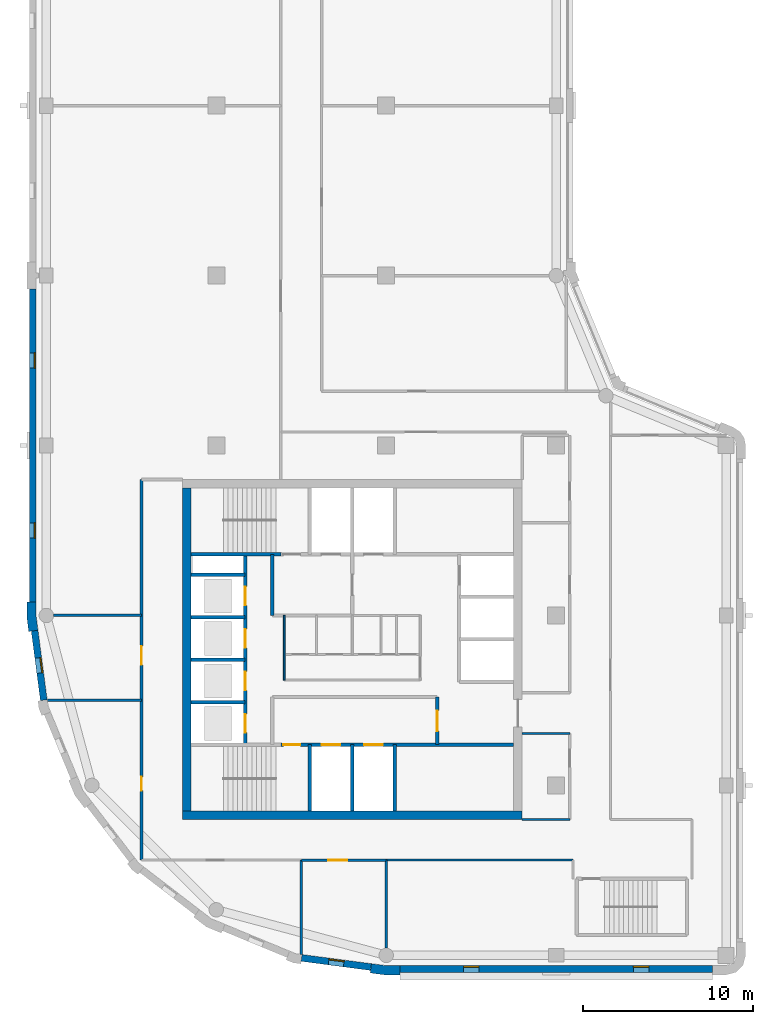
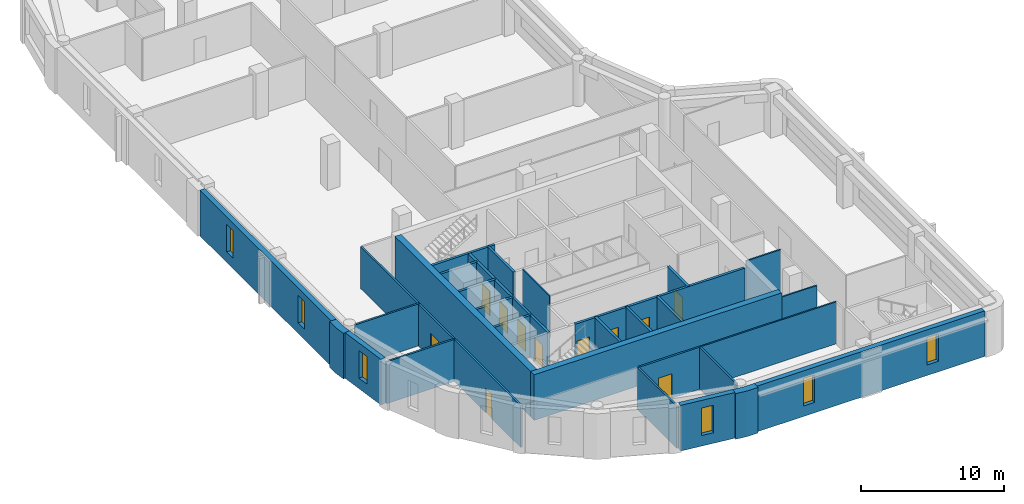
# One storey, part 2 of 8: 30 walls, 11 doors, 6 windows, 17 openings.
"""IFC4 building model written with IfcOpenShell, lengths in metres."""

from ifc_helpers import new_model, si_unit, direction, frame, frame_2d, origin, place, context, subcontext, project, spatial, polyline, rectangle, outline, extrude, material, layer, layer_set, type_object, element, fill, save


model = new_model("IFC4")

# Units and contexts
model_context = context("Model", 3, precision=1e-05, world=origin(), true_north=direction((0.0, 1.0)))
body_context = subcontext(model_context, "Body", "Model", "MODEL_VIEW")
ifc_project = project(units=[si_unit("LENGTHUNIT", "METRE"), si_unit("AREAUNIT", "SQUARE_METRE"), si_unit("VOLUMEUNIT", "CUBIC_METRE"), si_unit("PLANEANGLEUNIT", "RADIAN"), si_unit("MASSUNIT", "GRAM", prefix="KILO")], contexts=[model_context])

# Site, building, storey
site_placement = place(None, origin())
site = spatial("IfcSite", under=ifc_project, at=site_placement, CompositionType="ELEMENT")
building_placement = place(site_placement, origin())
building = spatial("IfcBuilding", under=site, at=building_placement, Name="Qaws Garden Tower", CompositionType="ELEMENT")
storey_placement = place(building_placement, frame((0.0, 0.0, 302.10009765625)))
storey = spatial("IfcBuildingStorey", under=building, at=storey_placement, Name="L73", CompositionType="ELEMENT", Elevation=302.10009765625)

# Wall, openings, windows
ifc_material_1 = material(Name="Clay facing brick masonry", Category="masonry")
ifc_layer_1 = layer(ifc_material_1, 0.39990234375)
ifc_layer_set_1 = layer_set([ifc_layer_1], Name="Clay facing brick masonry")
wall_type_1 = type_object("IfcWallType", Name="Brick infill wall 400", PredefinedType="SOLIDWALL", material=ifc_layer_set_1)
wall_1_placement = place(storey_placement, frame((20.800048828125, -0.800048828125, 0.0), z_axis=(0.0, 0.0, 1.0), x_axis=(1.0, 0.0, 0.0)))
wall_1 = element("IfcWall", 1, at=wall_1_placement, inside=storey, type_object=wall_type_1, Name="E-L73-infill-00", PredefinedType="SOLIDWALL", context=body_context, shape_type="SweptSolid", body=[
    extrude(rectangle(XDim=18.39990234375, YDim=0.39990234375, at=frame_2d((9.199951171875, 0.0))), origin(), (0.0, 0.0, 1.0), 3.89990234375),
])
opening_1_placement = place(wall_1_placement, frame((3.75, 0.0, 0.89990234375)))
opening_1 = element("IfcOpeningElement", 2, at=opening_1_placement, cuts=wall_1, Name="Opening W09", PredefinedType="OPENING", context=body_context, shape_type="SweptSolid", body=[
    extrude(rectangle(XDim=0.89990234375, YDim=2.35009765625, at=frame_2d((0.449951171875, 1.175048828125))), frame((0.0, 0.2099609375, 0.0), z_axis=(0.0, -1.0, 0.0), x_axis=(1.0, 0.0, 0.0)), (0.0, 0.0, 1.0), 0.419921875),
])
opening_2_placement = place(wall_1_placement, frame((13.75, 0.0, 0.89990234375)))
opening_2 = element("IfcOpeningElement", 3, at=opening_2_placement, cuts=wall_1, Name="Opening W09", PredefinedType="OPENING", context=body_context, shape_type="SweptSolid", body=[
    extrude(rectangle(XDim=0.89990234375, YDim=2.35009765625, at=frame_2d((0.449951171875, 1.175048828125))), frame((0.0, 0.2099609375, 0.0), z_axis=(0.0, -1.0, 0.0), x_axis=(1.0, 0.0, 0.0)), (0.0, 0.0, 1.0), 0.419921875),
])
ifc_material_2 = material(Name="Aluminium framed window, clear glazing", Category="aluminium")
window_type = type_object("IfcWindowType", Name="Slit window 900 x 2350", PartitioningType="SINGLE_PANEL", PredefinedType="WINDOW", material=ifc_material_2)
window_1_placement = place(opening_1_placement, origin())
window_1 = element("IfcWindow", 4, at=window_1_placement, inside=storey, type_object=window_type, Name="E-L73-window-00-0", OverallHeight=2.35009765625, OverallWidth=0.89990234375, PartitioningType="SINGLE_PANEL", PredefinedType="WINDOW", context=body_context, shape_type="SweptSolid", body=[
    extrude(rectangle(XDim=0.89990234375, YDim=2.35009765625, at=frame_2d((0.449951171875, 1.175048828125))), frame((0.0, 0.159912109375, 0.0), z_axis=(0.0, -1.0, 0.0), x_axis=(1.0, 0.0, 0.0)), (0.0, 0.0, 1.0), 0.06005859375),
])
fill(opening_1, window_1)
window_2_placement = place(opening_2_placement, origin())
window_2 = element("IfcWindow", 5, at=window_2_placement, inside=storey, type_object=window_type, Name="E-L73-window-01-0", OverallHeight=2.35009765625, OverallWidth=0.89990234375, PartitioningType="SINGLE_PANEL", PredefinedType="WINDOW", context=body_context, shape_type="SweptSolid", body=[
    extrude(rectangle(XDim=0.89990234375, YDim=2.35009765625, at=frame_2d((0.449951171875, 1.175048828125))), frame((0.0, 0.159912109375, 0.0), z_axis=(0.0, -1.0, 0.0), x_axis=(1.0, 0.0, 0.0)), (0.0, 0.0, 1.0), 0.06005859375),
])
fill(opening_2, window_2)

wall_2_placement = place(storey_placement, frame((-0.800048828125, 39.199951171875, 0.0), z_axis=(0.0, 0.0, 1.0), x_axis=(0.0, -1.0, 0.0)))
wall_2 = element("IfcWall", 6, at=wall_2_placement, inside=storey, type_object=wall_type_1, Name="E-L73-infill-19", PredefinedType="SOLIDWALL", context=body_context, shape_type="SweptSolid", body=[
    extrude(rectangle(XDim=18.39990234375, YDim=0.39990234375, at=frame_2d((9.199951171875, 0.0))), origin(), (0.0, 0.0, 1.0), 3.89990234375),
])
opening_3_placement = place(wall_2_placement, frame((3.75, 0.0, 0.89990234375)))
opening_3 = element("IfcOpeningElement", 7, at=opening_3_placement, cuts=wall_2, Name="Opening W09", PredefinedType="OPENING", context=body_context, shape_type="SweptSolid", body=[
    extrude(rectangle(XDim=0.89990234375, YDim=2.35009765625, at=frame_2d((0.449951171875, 1.175048828125))), frame((0.0, 0.2099609375, 0.0), z_axis=(0.0, -1.0, 0.0), x_axis=(1.0, 0.0, 0.0)), (0.0, 0.0, 1.0), 0.419921875),
])
opening_4_placement = place(wall_2_placement, frame((13.75, 0.0, 0.89990234375)))
opening_4 = element("IfcOpeningElement", 8, at=opening_4_placement, cuts=wall_2, Name="Opening W09", PredefinedType="OPENING", context=body_context, shape_type="SweptSolid", body=[
    extrude(rectangle(XDim=0.89990234375, YDim=2.35009765625, at=frame_2d((0.449951171875, 1.175048828125))), frame((0.0, 0.2099609375, 0.0), z_axis=(0.0, -1.0, 0.0), x_axis=(1.0, 0.0, 0.0)), (0.0, 0.0, 1.0), 0.419921875),
])
window_3_placement = place(opening_3_placement, origin())
window_3 = element("IfcWindow", 9, at=window_3_placement, inside=storey, type_object=window_type, Name="E-L73-window-19-0", OverallHeight=2.35009765625, OverallWidth=0.89990234375, PartitioningType="SINGLE_PANEL", PredefinedType="WINDOW", context=body_context, shape_type="SweptSolid", body=[
    extrude(rectangle(XDim=0.89990234375, YDim=2.35009765625, at=frame_2d((0.449951171875, 1.175048828125))), frame((0.0, 0.159912109375, 0.0), z_axis=(0.0, -1.0, 0.0), x_axis=(1.0, 0.0, 0.0)), (0.0, 0.0, 1.0), 0.06005859375),
])
fill(opening_3, window_3)
window_4_placement = place(opening_4_placement, origin())
window_4 = element("IfcWindow", 10, at=window_4_placement, inside=storey, type_object=window_type, Name="E-L73-window-20-0", OverallHeight=2.35009765625, OverallWidth=0.89990234375, PartitioningType="SINGLE_PANEL", PredefinedType="WINDOW", context=body_context, shape_type="SweptSolid", body=[
    extrude(rectangle(XDim=0.89990234375, YDim=2.35009765625, at=frame_2d((0.449951171875, 1.175048828125))), frame((0.0, 0.159912109375, 0.0), z_axis=(0.0, -1.0, 0.0), x_axis=(1.0, 0.0, 0.0)), (0.0, 0.0, 1.0), 0.06005859375),
])
fill(opening_4, window_4)

# Wall, opening, window
wall_3_placement = place(storey_placement, frame((-0.688720703125, 19.102294921875, 0.0), z_axis=(0.0, 0.0, 1.0), x_axis=(0.130514280502, -0.991446429508, 0.0)))
wall_3 = element("IfcWall", 11, at=wall_3_placement, inside=storey, type_object=wall_type_1, Name="E-L73-infill-21", PredefinedType="SOLIDWALL", context=body_context, shape_type="SweptSolid", body=[
    extrude(rectangle(XDim=4.120849609375, YDim=0.39990234375, at=frame_2d((2.060546875, 0.0))), origin(), (0.0, 0.0, 1.0), 3.89990234375),
])
opening_5_placement = place(wall_3_placement, frame((1.610595703125, 0.0, 0.89990234375)))
opening_5 = element("IfcOpeningElement", 12, at=opening_5_placement, cuts=wall_3, Name="Opening W09", PredefinedType="OPENING", context=body_context, shape_type="SweptSolid", body=[
    extrude(rectangle(XDim=0.89990234375, YDim=2.35009765625, at=frame_2d((0.449951171875, 1.175048828125))), frame((0.0, 0.2099609375, 0.0), z_axis=(0.0, -1.0, 0.0), x_axis=(1.0, 0.0, 0.0)), (0.0, 0.0, 1.0), 0.419921875),
])
window_5_placement = place(opening_5_placement, origin())
window_5 = element("IfcWindow", 13, at=window_5_placement, inside=storey, type_object=window_type, Name="E-L73-window-21-0", OverallHeight=2.35009765625, OverallWidth=0.89990234375, PartitioningType="SINGLE_PANEL", PredefinedType="WINDOW", context=body_context, shape_type="SweptSolid", body=[
    extrude(rectangle(XDim=0.89990234375, YDim=2.35009765625, at=frame_2d((0.449951171875, 1.175048828125))), frame((0.0, 0.159912109375, 0.0), z_axis=(0.0, -1.0, 0.0), x_axis=(1.0, 0.0, 0.0)), (0.0, 0.0, 1.0), 0.06005859375),
])
fill(opening_5, window_5)

wall_4_placement = place(storey_placement, frame((15.0166015625, -0.15087890625, 0.0), z_axis=(0.0, 0.0, 1.0), x_axis=(0.991446429508, -0.130514280502, 0.0)))
wall_4 = element("IfcWall", 14, at=wall_4_placement, inside=storey, type_object=wall_type_1, Name="E-L73-infill-26", PredefinedType="SOLIDWALL", context=body_context, shape_type="SweptSolid", body=[
    extrude(rectangle(XDim=4.120849609375, YDim=0.39990234375, at=frame_2d((2.060546875, 0.0))), origin(), (0.0, 0.0, 1.0), 3.89990234375),
])
opening_6_placement = place(wall_4_placement, frame((1.610595703125, 0.0, 0.89990234375)))
opening_6 = element("IfcOpeningElement", 15, at=opening_6_placement, cuts=wall_4, Name="Opening W09", PredefinedType="OPENING", context=body_context, shape_type="SweptSolid", body=[
    extrude(rectangle(XDim=0.89990234375, YDim=2.35009765625, at=frame_2d((0.449951171875, 1.175048828125))), frame((0.0, 0.2099609375, 0.0), z_axis=(0.0, -1.0, 0.0), x_axis=(1.0, 0.0, 0.0)), (0.0, 0.0, 1.0), 0.419921875),
])
window_6_placement = place(opening_6_placement, origin())
window_6 = element("IfcWindow", 16, at=window_6_placement, inside=storey, type_object=window_type, Name="E-L73-window-26-0", OverallHeight=2.35009765625, OverallWidth=0.89990234375, PartitioningType="SINGLE_PANEL", PredefinedType="WINDOW", context=body_context, shape_type="SweptSolid", body=[
    extrude(rectangle(XDim=0.89990234375, YDim=2.35009765625, at=frame_2d((0.449951171875, 1.175048828125))), frame((0.0, 0.159912109375, 0.0), z_axis=(0.0, -1.0, 0.0), x_axis=(1.0, 0.0, 0.0)), (0.0, 0.0, 1.0), 0.06005859375),
])
fill(opening_6, window_6)

# Walls
ifc_material_3 = material(Name="Clay facing brick masonry", Category="masonry")
ifc_layer_2 = layer(ifc_material_3, 0.550048828125)
ifc_layer_set_2 = layer_set([ifc_layer_2], Name="Clay facing brick masonry")
wall_type_2 = type_object("IfcWallType", Name="Brick pier 550 x 1600", PredefinedType="SOLIDWALL", material=ifc_layer_set_2)
placement = place(storey_placement, origin())
element("IfcWall", 17, at=placement, inside=storey, type_object=wall_type_2, Name="E-L73-pier-00", PredefinedType="SOLIDWALL", context=body_context, shape_type="SweptSolid", body=[
    extrude(outline(polyline([(19.076416015625, -0.886962890625), (19.056640625, -1.03564453125), (19.924560546875, -1.14990234375), (20.800048828125, -1.14990234375), (20.800048828125, -1.0), (20.800048828125, -0.60009765625), (19.960693359375, -0.60009765625), (19.12841796875, -0.490478515625), (19.076416015625, -0.886962890625)])), origin(), (0.0, 0.0, 1.0), 3.89990234375),
])
element("IfcWall", 18, at=placement, inside=storey, type_object=wall_type_2, Name="E-L73-pier-21", PredefinedType="SOLIDWALL", context=body_context, shape_type="SweptSolid", body=[
    extrude(outline(polyline([(-1.0, 20.800048828125), (-1.14990234375, 20.800048828125), (-1.14990234375, 19.924560546875), (-1.03564453125, 19.056640625), (-0.886962890625, 19.076416015625), (-0.490478515625, 19.12841796875), (-0.60009765625, 19.960693359375), (-0.60009765625, 20.800048828125), (-1.0, 20.800048828125)])), origin(), (0.0, 0.0, 1.0), 3.89990234375),
])
ifc_material_4 = material(Name="Plasterboard")
ifc_layer_3 = layer(ifc_material_4, 0.10009765625)
ifc_layer_set_3 = layer_set([ifc_layer_3], Name="Plasterboard")
wall_type_3 = type_object("IfcWallType", Name="Core partition 100", PredefinedType="PARTITIONING", material=ifc_layer_set_3)
wall_7_placement = place(storey_placement, frame((14.0, 16.199951171875, 0.0), z_axis=(0.0, 0.0, 1.0), x_axis=(0.0, 1.0, 0.0)))
element("IfcWall", 19, at=wall_7_placement, inside=storey, type_object=wall_type_3, Name="Core partition", PredefinedType="PARTITIONING", context=body_context, shape_type="SweptSolid", body=[
    extrude(rectangle(XDim=3.800048828125, YDim=0.10009765625, at=frame_2d((1.89990234375, 0.0))), origin(), (0.0, 0.0, 1.0), 3.579833984375),
])

# Wall, openings, doors
ifc_material_5 = material(Name="Concrete C60", Category="concrete")
ifc_layer_4 = layer(ifc_material_5, 0.199951171875)
ifc_layer_set_4 = layer_set([ifc_layer_4], Name="Concrete C60")
wall_type_4 = type_object("IfcWallType", Name="Core shaft wall 200 C60", PredefinedType="SHEAR", material=ifc_layer_set_4)
wall_8_placement = place(storey_placement, frame((13.800048828125, 12.39990234375, 0.0), z_axis=(0.0, 0.0, 1.0), x_axis=(1.0, 0.0, 0.0)))
wall_8 = element("IfcWall", 20, at=wall_8_placement, inside=storey, type_object=wall_type_4, Name="Shaft wall", PredefinedType="SHEAR", context=body_context, shape_type="SweptSolid", body=[
    extrude(rectangle(XDim=13.699951171875, YDim=0.199951171875, at=frame_2d((6.85009765625, 0.0))), origin(), (0.0, 0.0, 1.0), 3.579833984375),
])
opening_7_placement = place(wall_8_placement, frame((2.39990234375, 0.0, 0.0)))
opening_7 = element("IfcOpeningElement", 21, at=opening_7_placement, cuts=wall_8, Name="Opening LD06", PredefinedType="OPENING", context=body_context, shape_type="SweptSolid", body=[
    extrude(rectangle(XDim=1.10009765625, YDim=2.10009765625, at=frame_2d((0.550048828125, 1.050048828125))), frame((0.0, 0.10986328125, 0.0), z_axis=(0.0, -1.0, 0.0), x_axis=(1.0, 0.0, 0.0)), (0.0, 0.0, 1.0), 0.219970703125),
])
opening_8_placement = place(wall_8_placement, frame((4.89990234375, 0.0, 0.0)))
opening_8 = element("IfcOpeningElement", 22, at=opening_8_placement, cuts=wall_8, Name="Opening LD07", PredefinedType="OPENING", context=body_context, shape_type="SweptSolid", body=[
    extrude(rectangle(XDim=1.10009765625, YDim=2.10009765625, at=frame_2d((0.550048828125, 1.050048828125))), frame((0.0, 0.10986328125, 0.0), z_axis=(0.0, -1.0, 0.0), x_axis=(1.0, 0.0, 0.0)), (0.0, 0.0, 1.0), 0.219970703125),
])
opening_9_placement = place(wall_8_placement, frame((0.14990234375, 0.0, 0.0)))
opening_9 = element("IfcOpeningElement", 23, at=opening_9_placement, cuts=wall_8, Name="Opening SD10", PredefinedType="OPENING", context=body_context, shape_type="SweptSolid", body=[
    extrude(rectangle(XDim=1.0, YDim=2.10009765625, at=frame_2d((0.5, 1.050048828125))), frame((0.0, 0.10986328125, 0.0), z_axis=(0.0, -1.0, 0.0), x_axis=(1.0, 0.0, 0.0)), (0.0, 0.0, 1.0), 0.219970703125),
])
ifc_material_6 = material(Name="Steel S235", Category="steel")
door_type_1 = type_object("IfcDoorType", Name="Landing door 1100x2100", OperationType="DOUBLE_DOOR_SLIDING", PredefinedType="DOOR", material=ifc_material_6)
door_1_placement = place(opening_7_placement, origin())
door_1 = element("IfcDoor", 24, at=door_1_placement, inside=storey, type_object=door_type_1, Name="Lift FF1 landing door", OperationType="DOUBLE_DOOR_SLIDING", OverallHeight=2.10009765625, OverallWidth=1.10009765625, PredefinedType="DOOR", context=body_context, shape_type="SweptSolid", body=[
    extrude(rectangle(XDim=1.10009765625, YDim=2.10009765625, at=frame_2d((0.550048828125, 1.050048828125))), frame((0.0, 0.02490234375, 0.0), z_axis=(0.0, -1.0, 0.0), x_axis=(1.0, 0.0, 0.0)), (0.0, 0.0, 1.0), 0.050048828125),
])
fill(opening_7, door_1)
door_2_placement = place(opening_8_placement, origin())
door_2 = element("IfcDoor", 25, at=door_2_placement, inside=storey, type_object=door_type_1, Name="Lift FF2 landing door", OperationType="DOUBLE_DOOR_SLIDING", OverallHeight=2.10009765625, OverallWidth=1.10009765625, PredefinedType="DOOR", context=body_context, shape_type="SweptSolid", body=[
    extrude(rectangle(XDim=1.10009765625, YDim=2.10009765625, at=frame_2d((0.550048828125, 1.050048828125))), frame((0.0, 0.02490234375, 0.0), z_axis=(0.0, -1.0, 0.0), x_axis=(1.0, 0.0, 0.0)), (0.0, 0.0, 1.0), 0.050048828125),
])
fill(opening_8, door_2)
ifc_material_7 = material(Name="Steel S235", Category="steel")
door_type_2 = type_object("IfcDoorType", Name="Stair door 1000x2100", OperationType="SINGLE_SWING_RIGHT", PredefinedType="DOOR", material=ifc_material_7)
door_3_placement = place(opening_9_placement, frame((1.0, 0.0, 0.0), z_axis=(0.0, 0.0, 1.0), x_axis=(-1.0, 0.0, 0.0)))
door_3 = element("IfcDoor", 26, at=door_3_placement, inside=storey, type_object=door_type_2, Name="Stair 1 door", OperationType="SINGLE_SWING_LEFT", OverallHeight=2.10009765625, OverallWidth=1.0, PredefinedType="DOOR", context=body_context, shape_type="SweptSolid", body=[
    extrude(rectangle(XDim=1.0, YDim=2.10009765625, at=frame_2d((0.5, 1.050048828125))), frame((0.0, 0.02490234375, 0.0), z_axis=(0.0, -1.0, 0.0), x_axis=(1.0, 0.0, 0.0)), (0.0, 0.0, 1.0), 0.050048828125),
])
fill(opening_9, door_3)

# Walls
for number, where, z_axis, x_axis, name in (
    (27, (8.5, 14.89990234375, 0.0), (0.0, 0.0, 1.0), (1.0, 0.0, 0.0), "Shaft wall"),
    (28, (8.5, 17.39990234375, 0.0), (0.0, 0.0, 1.0), (1.0, 0.0, 0.0), "Shaft wall"),
    (29, (8.5, 19.89990234375, 0.0), (0.0, 0.0, 1.0), (1.0, 0.0, 0.0), "Shaft wall"),
    (30, (8.5, 22.39990234375, 0.0), (0.0, 0.0, 1.0), (1.0, 0.0, 0.0), "Shaft wall"),
):
    element("IfcWall", number, at=place(storey_placement, frame(where, z_axis=z_axis, x_axis=x_axis)), inside=storey, type_object=wall_type_4, Name=name, PredefinedType="SHEAR", context=body_context, shape_type="SweptSolid", body=[
        extrude(rectangle(XDim=3.199951171875, YDim=0.199951171875, at=frame_2d((1.60009765625, 0.0))), origin(), (0.0, 0.0, 1.0), 3.579833984375),
    ])
wall_9_placement = place(storey_placement, frame((8.5, 23.60009765625, 0.0), z_axis=(0.0, 0.0, 1.0), x_axis=(1.0, 0.0, 0.0)))
element("IfcWall", 31, at=wall_9_placement, inside=storey, type_object=wall_type_4, Name="Shaft wall", PredefinedType="SHEAR", context=body_context, shape_type="SweptSolid", body=[
    extrude(rectangle(XDim=5.300048828125, YDim=0.199951171875, at=frame_2d((2.64990234375, 0.0))), origin(), (0.0, 0.0, 1.0), 3.579833984375),
])

# Wall, openings, doors
wall_10_placement = place(storey_placement, frame((11.699951171875, 12.39990234375, 0.0), z_axis=(0.0, 0.0, 1.0), x_axis=(0.0, 1.0, 0.0)))
wall_10 = element("IfcWall", 32, at=wall_10_placement, inside=storey, type_object=wall_type_4, Name="Shaft wall", PredefinedType="SHEAR", context=body_context, shape_type="SweptSolid", body=[
    extrude(rectangle(XDim=11.2001953125, YDim=0.199951171875, at=frame_2d((5.60009765625, 0.0))), origin(), (0.0, 0.0, 1.0), 3.579833984375),
])
opening_10_placement = place(wall_10_placement, frame((0.699951171875, 0.0, 0.0)))
opening_10 = element("IfcOpeningElement", 33, at=opening_10_placement, cuts=wall_10, Name="Opening LD01", PredefinedType="OPENING", context=body_context, shape_type="SweptSolid", body=[
    extrude(rectangle(XDim=1.10009765625, YDim=2.10009765625, at=frame_2d((0.550048828125, 1.050048828125))), frame((0.0, 0.10986328125, 0.0), z_axis=(0.0, -1.0, 0.0), x_axis=(1.0, 0.0, 0.0)), (0.0, 0.0, 1.0), 0.219970703125),
])
opening_11_placement = place(wall_10_placement, frame((3.199951171875, 0.0, 0.0)))
opening_11 = element("IfcOpeningElement", 34, at=opening_11_placement, cuts=wall_10, Name="Opening LD02", PredefinedType="OPENING", context=body_context, shape_type="SweptSolid", body=[
    extrude(rectangle(XDim=1.10009765625, YDim=2.10009765625, at=frame_2d((0.550048828125, 1.050048828125))), frame((0.0, 0.10986328125, 0.0), z_axis=(0.0, -1.0, 0.0), x_axis=(1.0, 0.0, 0.0)), (0.0, 0.0, 1.0), 0.219970703125),
])
opening_12_placement = place(wall_10_placement, frame((5.699951171875, 0.0, 0.0)))
opening_12 = element("IfcOpeningElement", 35, at=opening_12_placement, cuts=wall_10, Name="Opening LD03", PredefinedType="OPENING", context=body_context, shape_type="SweptSolid", body=[
    extrude(rectangle(XDim=1.10009765625, YDim=2.10009765625, at=frame_2d((0.550048828125, 1.050048828125))), frame((0.0, 0.10986328125, 0.0), z_axis=(0.0, -1.0, 0.0), x_axis=(1.0, 0.0, 0.0)), (0.0, 0.0, 1.0), 0.219970703125),
])
opening_13_placement = place(wall_10_placement, frame((8.199951171875, 0.0, 0.0)))
opening_13 = element("IfcOpeningElement", 36, at=opening_13_placement, cuts=wall_10, Name="Opening LD04", PredefinedType="OPENING", context=body_context, shape_type="SweptSolid", body=[
    extrude(rectangle(XDim=1.10009765625, YDim=2.10009765625, at=frame_2d((0.550048828125, 1.050048828125))), frame((0.0, 0.10986328125, 0.0), z_axis=(0.0, -1.0, 0.0), x_axis=(1.0, 0.0, 0.0)), (0.0, 0.0, 1.0), 0.219970703125),
])
door_4_placement = place(opening_10_placement, origin())
door_4 = element("IfcDoor", 37, at=door_4_placement, inside=storey, type_object=door_type_1, Name="Lift W1 landing door", OperationType="DOUBLE_DOOR_SLIDING", OverallHeight=2.10009765625, OverallWidth=1.10009765625, PredefinedType="DOOR", context=body_context, shape_type="SweptSolid", body=[
    extrude(rectangle(XDim=1.10009765625, YDim=2.10009765625, at=frame_2d((0.550048828125, 1.050048828125))), frame((0.0, 0.02490234375, 0.0), z_axis=(0.0, -1.0, 0.0), x_axis=(1.0, 0.0, 0.0)), (0.0, 0.0, 1.0), 0.050048828125),
])
fill(opening_10, door_4)
door_5_placement = place(opening_11_placement, origin())
door_5 = element("IfcDoor", 38, at=door_5_placement, inside=storey, type_object=door_type_1, Name="Lift W2 landing door", OperationType="DOUBLE_DOOR_SLIDING", OverallHeight=2.10009765625, OverallWidth=1.10009765625, PredefinedType="DOOR", context=body_context, shape_type="SweptSolid", body=[
    extrude(rectangle(XDim=1.10009765625, YDim=2.10009765625, at=frame_2d((0.550048828125, 1.050048828125))), frame((0.0, 0.02490234375, 0.0), z_axis=(0.0, -1.0, 0.0), x_axis=(1.0, 0.0, 0.0)), (0.0, 0.0, 1.0), 0.050048828125),
])
fill(opening_11, door_5)
door_6_placement = place(opening_12_placement, origin())
door_6 = element("IfcDoor", 39, at=door_6_placement, inside=storey, type_object=door_type_1, Name="Lift W3 landing door", OperationType="DOUBLE_DOOR_SLIDING", OverallHeight=2.10009765625, OverallWidth=1.10009765625, PredefinedType="DOOR", context=body_context, shape_type="SweptSolid", body=[
    extrude(rectangle(XDim=1.10009765625, YDim=2.10009765625, at=frame_2d((0.550048828125, 1.050048828125))), frame((0.0, 0.02490234375, 0.0), z_axis=(0.0, -1.0, 0.0), x_axis=(1.0, 0.0, 0.0)), (0.0, 0.0, 1.0), 0.050048828125),
])
fill(opening_12, door_6)
door_7_placement = place(opening_13_placement, origin())
door_7 = element("IfcDoor", 40, at=door_7_placement, inside=storey, type_object=door_type_1, Name="Lift W4 landing door", OperationType="DOUBLE_DOOR_SLIDING", OverallHeight=2.10009765625, OverallWidth=1.10009765625, PredefinedType="DOOR", context=body_context, shape_type="SweptSolid", body=[
    extrude(rectangle(XDim=1.10009765625, YDim=2.10009765625, at=frame_2d((0.550048828125, 1.050048828125))), frame((0.0, 0.02490234375, 0.0), z_axis=(0.0, -1.0, 0.0), x_axis=(1.0, 0.0, 0.0)), (0.0, 0.0, 1.0), 0.050048828125),
])
fill(opening_13, door_7)

# Walls
wall_11_placement = place(storey_placement, frame((13.300048828125, 20.0, 0.0), z_axis=(0.0, 0.0, 1.0), x_axis=(0.0, 1.0, 0.0)))
element("IfcWall", 41, at=wall_11_placement, inside=storey, type_object=wall_type_4, Name="Shaft wall", PredefinedType="SHEAR", context=body_context, shape_type="SweptSolid", body=[
    extrude(rectangle(XDim=3.60009765625, YDim=0.199951171875, at=frame_2d((1.800048828125, 0.0))), origin(), (0.0, 0.0, 1.0), 3.579833984375),
])
for number, where, z_axis, x_axis, name in (
    (42, (15.5, 8.5, 0.0), (0.0, 0.0, 1.0), (0.0, 1.0, 0.0), "Shaft wall"),
    (43, (18.0, 8.5, 0.0), (0.0, 0.0, 1.0), (0.0, 1.0, 0.0), "Shaft wall"),
    (44, (20.5, 8.5, 0.0), (0.0, 0.0, 1.0), (0.0, 1.0, 0.0), "Shaft wall"),
):
    element("IfcWall", number, at=place(storey_placement, frame(where, z_axis=z_axis, x_axis=x_axis)), inside=storey, type_object=wall_type_4, Name=name, PredefinedType="SHEAR", context=body_context, shape_type="SweptSolid", body=[
        extrude(rectangle(XDim=3.89990234375, YDim=0.199951171875, at=frame_2d((1.949951171875, 0.0))), origin(), (0.0, 0.0, 1.0), 3.579833984375),
    ])

# Wall, opening, door
wall_12_placement = place(storey_placement, frame((23.0, 12.39990234375, 0.0), z_axis=(0.0, 0.0, 1.0), x_axis=(0.0, 1.0, 0.0)))
wall_12 = element("IfcWall", 45, at=wall_12_placement, inside=storey, type_object=wall_type_4, Name="Shaft wall", PredefinedType="SHEAR", context=body_context, shape_type="SweptSolid", body=[
    extrude(rectangle(XDim=2.800048828125, YDim=0.199951171875, at=frame_2d((1.39990234375, 0.0))), origin(), (0.0, 0.0, 1.0), 3.579833984375),
])
opening_14_placement = place(wall_12_placement, frame((0.800048828125, 0.0, 0.0)))
opening_14 = element("IfcOpeningElement", 46, at=opening_14_placement, cuts=wall_12, Name="Opening FD15", PredefinedType="OPENING", context=body_context, shape_type="SweptSolid", body=[
    extrude(rectangle(XDim=1.199951171875, YDim=2.10009765625, at=frame_2d((0.60009765625, 1.050048828125))), frame((0.0, 0.10986328125, 0.0), z_axis=(0.0, -1.0, 0.0), x_axis=(1.0, 0.0, 0.0)), (0.0, 0.0, 1.0), 0.219970703125),
])
ifc_material_8 = material(Name="Steel S235", Category="steel")
door_type_3 = type_object("IfcDoorType", Name="Lobby door 1200x2100", OperationType="DOUBLE_DOOR_SINGLE_SWING", PredefinedType="DOOR", material=ifc_material_8)
door_8_placement = place(opening_14_placement, origin())
door_8 = element("IfcDoor", 47, at=door_8_placement, inside=storey, type_object=door_type_3, Name="Fire-fighting lobby door", OperationType="DOUBLE_DOOR_SINGLE_SWING", OverallHeight=2.10009765625, OverallWidth=1.199951171875, PredefinedType="DOOR", context=body_context, shape_type="SweptSolid", body=[
    extrude(rectangle(XDim=1.199951171875, YDim=2.10009765625, at=frame_2d((0.60009765625, 1.050048828125))), frame((0.0, 0.02490234375, 0.0), z_axis=(0.0, -1.0, 0.0), x_axis=(1.0, 0.0, 0.0)), (0.0, 0.0, 1.0), 0.050048828125),
])
fill(opening_14, door_8)

# Walls
ifc_material_9 = material(Name="Concrete C60", Category="concrete")
ifc_layer_5 = layer(ifc_material_9, 0.5)
ifc_layer_set_5 = layer_set([ifc_layer_5], Name="Concrete C60")
wall_type_5 = type_object("IfcWallType", Name="Core wall 500 C60", PredefinedType="SHEAR", material=ifc_layer_set_5)
wall_13_placement = place(storey_placement, frame((8.0, 8.25, 0.0), z_axis=(0.0, 0.0, 1.0), x_axis=(1.0, 0.0, 0.0)))
element("IfcWall", 48, at=wall_13_placement, inside=storey, type_object=wall_type_5, Name="Core wall L73 south", PredefinedType="SHEAR", context=body_context, shape_type="SweptSolid", body=[
    extrude(rectangle(XDim=20.0, YDim=0.5, at=frame_2d((10.0, 0.0))), origin(), (0.0, 0.0, 1.0), 3.89990234375),
])
wall_14_placement = place(storey_placement, frame((8.25, 27.5, 0.0), z_axis=(0.0, 0.0, 1.0), x_axis=(0.0, -1.0, 0.0)))
element("IfcWall", 49, at=wall_14_placement, inside=storey, type_object=wall_type_5, Name="Core wall L73 west", PredefinedType="SHEAR", context=body_context, shape_type="SweptSolid", body=[
    extrude(rectangle(XDim=19.0, YDim=0.5, at=frame_2d((9.5, 0.0))), origin(), (0.0, 0.0, 1.0), 3.89990234375),
])
ifc_material_10 = material(Name="Glass and aluminium framing", Category="aluminium")
ifc_layer_6 = layer(ifc_material_10, 0.1201171875)
ifc_layer_set_6 = layer_set([ifc_layer_6], Name="Glass and aluminium framing")
wall_type_6 = type_object("IfcWallType", Name="GLAZED PARTITION 120 EI 30", PredefinedType="PARTITIONING", material=ifc_layer_set_6)
wall_15_placement = place(storey_placement, frame((20.0, 5.60009765625, 0.0), z_axis=(0.0, 0.0, 1.0), x_axis=(1.0, 0.0, 0.0)))
element("IfcWall", 50, at=wall_15_placement, inside=storey, type_object=wall_type_6, Name="O-L73-wall-042", PredefinedType="PARTITIONING", context=body_context, shape_type="SweptSolid", body=[
    extrude(rectangle(XDim=11.0, YDim=0.1201171875, at=frame_2d((5.5, 0.0))), origin(), (0.0, 0.0, 1.0), 3.579833984375),
])
for number, where, z_axis, x_axis, name in (
    (51, (28.0, 8.0, 0.0), (0.0, 0.0, 1.0), (1.0, 0.0, 0.0), "O-L73-wall-043"),
    (52, (28.0, 13.050048828125, 0.0), (0.0, 0.0, 1.0), (1.0, 0.0, 0.0), "O-L73-wall-045"),
):
    element("IfcWall", number, at=place(storey_placement, frame(where, z_axis=z_axis, x_axis=x_axis)), inside=storey, type_object=wall_type_6, Name=name, PredefinedType="PARTITIONING", context=body_context, shape_type="SweptSolid", body=[
        extrude(rectangle(XDim=2.800048828125, YDim=0.1201171875, at=frame_2d((1.39990234375, 0.0))), origin(), (0.0, 0.0, 1.0), 3.579833984375),
    ])

# Wall, openings, doors
ifc_material_11 = material(Name="Gypsum board partition")
ifc_layer_7 = layer(ifc_material_11, 0.14990234375)
ifc_layer_set_7 = layer_set([ifc_layer_7], Name="Gypsum board partition")
wall_type_7 = type_object("IfcWallType", Name="PARTITION 150 EI 60", PredefinedType="PARTITIONING", material=ifc_layer_set_7)
wall_16_placement = place(storey_placement, frame((5.60009765625, 5.60009765625, 0.0), z_axis=(0.0, 0.0, 1.0), x_axis=(0.0, 1.0, 0.0)))
wall_16 = element("IfcWall", 53, at=wall_16_placement, inside=storey, type_object=wall_type_7, Name="O-L73-wall-003", PredefinedType="PARTITIONING", context=body_context, shape_type="SweptSolid", body=[
    extrude(rectangle(XDim=22.39990234375, YDim=0.14990234375, at=frame_2d((11.199951171875, 0.0))), origin(), (0.0, 0.0, 1.0), 3.579833984375),
])
opening_15_placement = place(wall_16_placement, frame((4.10009765625, 0.0, 0.0)))
opening_15 = element("IfcOpeningElement", 54, at=opening_15_placement, cuts=wall_16, Name="Opening C601", PredefinedType="OPENING", context=body_context, shape_type="SweptSolid", body=[
    extrude(rectangle(XDim=0.800048828125, YDim=2.10009765625, at=frame_2d((0.39990234375, 1.050048828125))), frame((0.0, 0.0849609375, 0.0), z_axis=(0.0, -1.0, 0.0), x_axis=(1.0, 0.0, 0.0)), (0.0, 0.0, 1.0), 0.169921875),
])
opening_16_placement = place(wall_16_placement, frame((11.5, 0.0, 0.0)))
opening_16 = element("IfcOpeningElement", 55, at=opening_16_placement, cuts=wall_16, Name="Opening C602", PredefinedType="OPENING", context=body_context, shape_type="SweptSolid", body=[
    extrude(rectangle(XDim=1.10009765625, YDim=2.10009765625, at=frame_2d((0.550048828125, 1.050048828125))), frame((0.0, 0.0849609375, 0.0), z_axis=(0.0, -1.0, 0.0), x_axis=(1.0, 0.0, 0.0)), (0.0, 0.0, 1.0), 0.169921875),
])
ifc_material_12 = material(Name="Timber door leaf", Category="wood")
door_type_4 = type_object("IfcDoorType", Name="SERVICE ROOM DOOR 1100 X 2100", OperationType="SINGLE_SWING_LEFT", PredefinedType="DOOR", material=ifc_material_12)
door_9_placement = place(opening_16_placement, origin())
door_9 = element("IfcDoor", 56, at=door_9_placement, inside=storey, type_object=door_type_4, Name="O-L73-door-002", OperationType="SINGLE_SWING_RIGHT", OverallHeight=2.10009765625, OverallWidth=1.10009765625, PredefinedType="DOOR", context=body_context, shape_type="SweptSolid", body=[
    extrude(rectangle(XDim=1.10009765625, YDim=2.10009765625, at=frame_2d((0.550048828125, 1.050048828125))), frame((0.0, 0.02490234375, 0.0), z_axis=(0.0, -1.0, 0.0), x_axis=(1.0, 0.0, 0.0)), (0.0, 0.0, 1.0), 0.050048828125),
])
fill(opening_16, door_9)
ifc_material_13 = material(Name="Timber door leaf", Category="wood")
door_type_5 = type_object("IfcDoorType", Name="STORE DOOR 800 X 2100", OperationType="SINGLE_SWING_LEFT", PredefinedType="DOOR", material=ifc_material_13)
door_10_placement = place(opening_15_placement, origin())
door_10 = element("IfcDoor", 57, at=door_10_placement, inside=storey, type_object=door_type_5, Name="O-L73-door-001", OperationType="SINGLE_SWING_RIGHT", OverallHeight=2.10009765625, OverallWidth=0.800048828125, PredefinedType="DOOR", context=body_context, shape_type="SweptSolid", body=[
    extrude(rectangle(XDim=0.800048828125, YDim=2.10009765625, at=frame_2d((0.39990234375, 1.050048828125))), frame((0.0, 0.02490234375, 0.0), z_axis=(0.0, -1.0, 0.0), x_axis=(1.0, 0.0, 0.0)), (0.0, 0.0, 1.0), 0.050048828125),
])
fill(opening_15, door_10)

# Walls
wall_17_placement = place(storey_placement, frame((15.0, 0.06298828125, 0.0), z_axis=(0.0, 0.0, 1.0), x_axis=(0.0, 1.0, 0.0)))
element("IfcWall", 58, at=wall_17_placement, inside=storey, type_object=wall_type_7, Name="O-L73-wall-006", PredefinedType="PARTITIONING", context=body_context, shape_type="SweptSolid", body=[
    extrude(rectangle(XDim=5.537109375, YDim=0.14990234375, at=frame_2d((2.7685546875, 0.0))), origin(), (0.0, 0.0, 1.0), 3.579833984375),
])
wall_18_placement = place(storey_placement, frame((20.0, 0.425048828125, 0.0), z_axis=(0.0, 0.0, 1.0), x_axis=(0.0, 1.0, 0.0)))
element("IfcWall", 59, at=wall_18_placement, inside=storey, type_object=wall_type_7, Name="O-L73-wall-010", PredefinedType="PARTITIONING", context=body_context, shape_type="SweptSolid", body=[
    extrude(rectangle(XDim=5.175048828125, YDim=0.14990234375, at=frame_2d((2.58740234375, 0.0))), origin(), (0.0, 0.0, 1.0), 3.579833984375),
])

# Wall, opening, door
wall_19_placement = place(storey_placement, frame((15.0, 5.60009765625, 0.0), z_axis=(0.0, 0.0, 1.0), x_axis=(1.0, 0.0, 0.0)))
wall_19 = element("IfcWall", 60, at=wall_19_placement, inside=storey, type_object=wall_type_7, Name="O-L73-wall-016", PredefinedType="PARTITIONING", context=body_context, shape_type="SweptSolid", body=[
    extrude(rectangle(XDim=5.0, YDim=0.14990234375, at=frame_2d((2.5, 0.0))), origin(), (0.0, 0.0, 1.0), 3.579833984375),
])
opening_17_placement = place(wall_19_placement, frame((1.60009765625, 0.0, 0.0)))
opening_17 = element("IfcOpeningElement", 61, at=opening_17_placement, cuts=wall_19, Name="Opening C610", PredefinedType="OPENING", context=body_context, shape_type="SweptSolid", body=[
    extrude(rectangle(XDim=1.10009765625, YDim=2.10009765625, at=frame_2d((0.550048828125, 1.050048828125))), frame((0.0, 0.0849609375, 0.0), z_axis=(0.0, -1.0, 0.0), x_axis=(1.0, 0.0, 0.0)), (0.0, 0.0, 1.0), 0.169921875),
])
door_11_placement = place(opening_17_placement, frame((1.10009765625, 0.0, 0.0), z_axis=(0.0, 0.0, 1.0), x_axis=(-1.0, 0.0, 0.0)))
door_11 = element("IfcDoor", 62, at=door_11_placement, inside=storey, type_object=door_type_4, Name="O-L73-door-010", OperationType="SINGLE_SWING_LEFT", OverallHeight=2.10009765625, OverallWidth=1.10009765625, PredefinedType="DOOR", context=body_context, shape_type="SweptSolid", body=[
    extrude(rectangle(XDim=1.10009765625, YDim=2.10009765625, at=frame_2d((0.550048828125, 1.050048828125))), frame((0.0, 0.02490234375, 0.0), z_axis=(0.0, -1.0, 0.0), x_axis=(1.0, 0.0, 0.0)), (0.0, 0.0, 1.0), 0.050048828125),
])
fill(opening_17, door_11)

# Walls
wall_20_placement = place(storey_placement, frame((0.06298828125, 15.0, 0.0), z_axis=(0.0, 0.0, 1.0), x_axis=(1.0, 0.0, 0.0)))
element("IfcWall", 63, at=wall_20_placement, inside=storey, type_object=wall_type_7, Name="O-L73-wall-017", PredefinedType="PARTITIONING", context=body_context, shape_type="SweptSolid", body=[
    extrude(rectangle(XDim=5.537109375, YDim=0.14990234375, at=frame_2d((2.7685546875, 0.0))), origin(), (0.0, 0.0, 1.0), 3.579833984375),
])
wall_21_placement = place(storey_placement, frame((0.425048828125, 20.0, 0.0), z_axis=(0.0, 0.0, 1.0), x_axis=(1.0, 0.0, 0.0)))
element("IfcWall", 64, at=wall_21_placement, inside=storey, type_object=wall_type_7, Name="O-L73-wall-019", PredefinedType="PARTITIONING", context=body_context, shape_type="SweptSolid", body=[
    extrude(rectangle(XDim=5.175048828125, YDim=0.14990234375, at=frame_2d((2.58740234375, 0.0))), origin(), (0.0, 0.0, 1.0), 3.579833984375),
])

save(model, "model.ifc")
